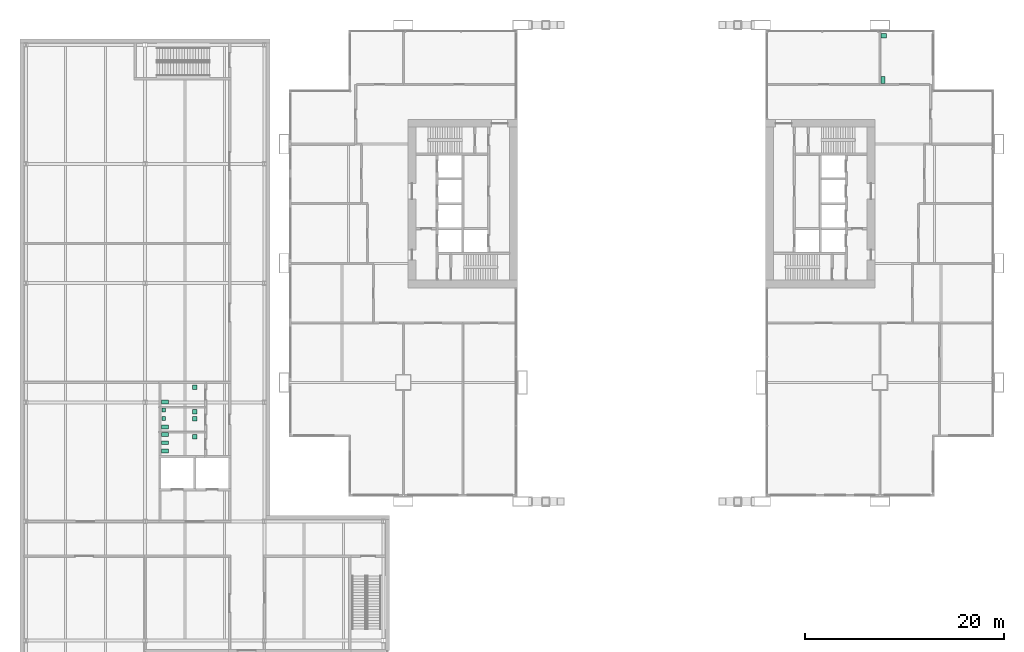
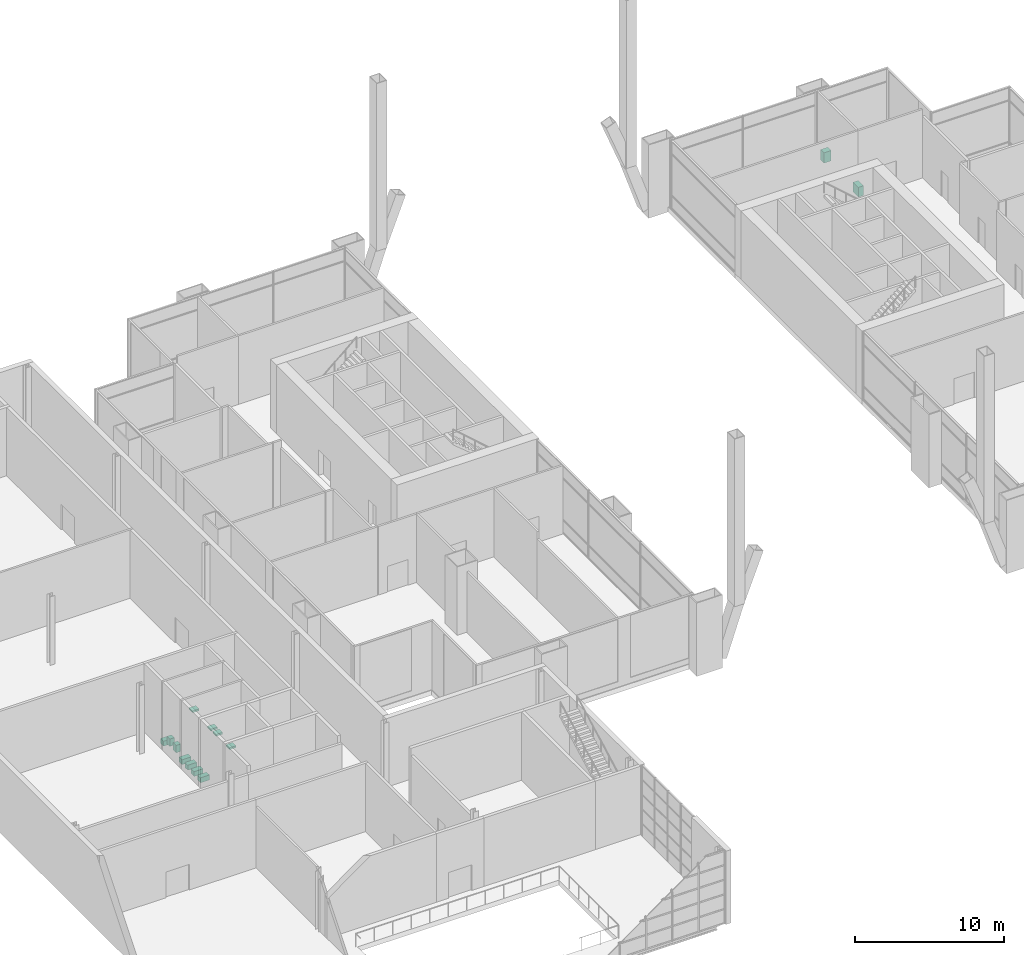
# One storey, part 30 of 30: 13 sanitary terminals.
"""IFC4 building model written with IfcOpenShell, lengths in metres."""

from ifc_helpers import new_model, si_unit, direction, frame, origin, origin_2d, place, context, subcontext, project, spatial, rectangle, extrude, material, type_object, element, save


model = new_model("IFC4")

# Units and contexts
model_context = context("Model", 3, precision=1e-05, world=origin(), true_north=direction((0.0, 1.0)))
body_context = subcontext(model_context, "Body", "Model", "MODEL_VIEW")
ifc_project = project(units=[si_unit("LENGTHUNIT", "METRE"), si_unit("AREAUNIT", "SQUARE_METRE"), si_unit("VOLUMEUNIT", "CUBIC_METRE"), si_unit("PLANEANGLEUNIT", "RADIAN"), si_unit("MASSUNIT", "GRAM", prefix="KILO")], contexts=[model_context])

# Site, building, storey
site_placement = place(None, origin())
site = spatial("IfcSite", under=ifc_project, at=site_placement, CompositionType="ELEMENT")
building_placement = place(site_placement, origin())
building = spatial("IfcBuilding", under=site, at=building_placement, Name="Kitamizu Gate Tower and Museum", CompositionType="ELEMENT")
storey_placement = place(building_placement, frame((0.0, 0.0, 6.0)))
storey = spatial("IfcBuildingStorey", under=building, at=storey_placement, Name="L01", CompositionType="ELEMENT", Elevation=6.0)

# Sanitary terminals
ifc_material_1 = material(Name="Vitreous china")
sanitary_terminal_type_1 = type_object("IfcSanitaryTerminalType", Name="Wash hand basin", PredefinedType="WASHHANDBASIN", material=ifc_material_1)
sanitary_terminal_1_placement = place(storey_placement, frame((60.39501953125, 46.93505859375, 0.0009765625), z_axis=(0.0, 0.0, 1.0), x_axis=(1.0, 0.0, 0.0)))
element("IfcSanitaryTerminal", 1, at=sanitary_terminal_1_placement, inside=storey, type_object=sanitary_terminal_type_1, Name="Wash hand basin Staff WC", PredefinedType="WASHHANDBASIN", context=body_context, shape_type="SweptSolid", body=[
    extrude(rectangle(XDim=0.550048828125, YDim=0.449951171875, at=origin_2d()), origin(), (0.0, 0.0, 1.0), 0.85009765625),
])
ifc_material_2 = material(Name="Vitreous china")
sanitary_terminal_type_2 = type_object("IfcSanitaryTerminalType", Name="Water closet", PredefinedType="TOILETPAN", material=ifc_material_2)
sanitary_terminal_2_placement = place(storey_placement, frame((60.320068359375, 42.469970703125, 0.0009765625), z_axis=(0.0, 0.0, 1.0), x_axis=(1.0, 0.0, 0.0)))
element("IfcSanitaryTerminal", 2, at=sanitary_terminal_2_placement, inside=storey, type_object=sanitary_terminal_type_2, Name="Water closet Staff WC", PredefinedType="TOILETPAN", context=body_context, shape_type="SweptSolid", body=[
    extrude(rectangle(XDim=0.39990234375, YDim=0.699951171875, at=origin_2d()), origin(), (0.0, 0.0, 1.0), 0.800048828125),
])
for number, where, z_axis, x_axis, name in (
    (3, (-11.97509765625, 5.074951171875, 0.0), (0.0, 0.0, 1.0), (1.0, 0.0, 0.0), "WC pan Women WC 1"),
    (4, (-11.97509765625, 5.925048828125, 0.0), (0.0, 0.0, 1.0), (1.0, 0.0, 0.0), "WC pan Women WC 2"),
    (5, (-11.97509765625, 6.77490234375, 0.0), (0.0, 0.0, 1.0), (1.0, 0.0, 0.0), "WC pan Women WC 3"),
):
    element("IfcSanitaryTerminal", number, at=place(storey_placement, frame(where, z_axis=z_axis, x_axis=x_axis)), inside=storey, Name=name, PredefinedType="TOILETPAN", context=body_context, shape_type="SweptSolid", body=[
        extrude(rectangle(XDim=0.699951171875, YDim=0.39990234375, at=origin_2d()), origin(), (0.0, 0.0, 1.0), 0.39990234375),
    ])
sanitary_terminal_3_placement = place(storey_placement, frame((-9.0, 6.52490234375, 0.775146484375), z_axis=(0.0, 0.0, 1.0), x_axis=(1.0, 0.0, 0.0)))
element("IfcSanitaryTerminal", 6, at=sanitary_terminal_3_placement, inside=storey, Name="Basin Women WC 1", PredefinedType="WASHHANDBASIN", context=body_context, shape_type="SweptSolid", body=[
    extrude(rectangle(XDim=0.5, YDim=0.449951171875, at=origin_2d()), origin(), (0.0, 0.0, 1.0), 0.14990234375),
])
sanitary_terminal_4_placement = place(storey_placement, frame((-11.97509765625, 7.52490234375, 0.0), z_axis=(0.0, 0.0, 1.0), x_axis=(1.0, 0.0, 0.0)))
element("IfcSanitaryTerminal", 7, at=sanitary_terminal_4_placement, inside=storey, Name="WC pan Men WC 1", PredefinedType="TOILETPAN", context=body_context, shape_type="SweptSolid", body=[
    extrude(rectangle(XDim=0.699951171875, YDim=0.39990234375, at=origin_2d()), origin(), (0.0, 0.0, 1.0), 0.39990234375),
])
for number, where, z_axis, x_axis, name in (
    (8, (-12.125, 8.375, 0.449951171875), (0.0, 0.0, 1.0), (1.0, 0.0, 0.0), "Urinal Men WC 1"),
    (9, (-12.125, 9.22509765625, 0.449951171875), (0.0, 0.0, 1.0), (1.0, 0.0, 0.0), "Urinal Men WC 2"),
):
    element("IfcSanitaryTerminal", number, at=place(storey_placement, frame(where, z_axis=z_axis, x_axis=x_axis)), inside=storey, Name=name, PredefinedType="URINAL", context=body_context, shape_type="SweptSolid", body=[
        extrude(rectangle(XDim=0.35009765625, YDim=0.39990234375, at=origin_2d()), origin(), (0.0, 0.0, 1.0), 0.60009765625),
    ])
for number, where, z_axis, x_axis, name in (
    (10, (-9.0, 9.02490234375, 0.775146484375), (0.0, 0.0, 1.0), (1.0, 0.0, 0.0), "Basin Men WC 1"),
    (11, (-9.0, 8.324951171875, 0.775146484375), (0.0, 0.0, 1.0), (1.0, 0.0, 0.0), "Basin Men WC 2"),
):
    element("IfcSanitaryTerminal", number, at=place(storey_placement, frame(where, z_axis=z_axis, x_axis=x_axis)), inside=storey, Name=name, PredefinedType="WASHHANDBASIN", context=body_context, shape_type="SweptSolid", body=[
        extrude(rectangle(XDim=0.5, YDim=0.449951171875, at=origin_2d()), origin(), (0.0, 0.0, 1.0), 0.14990234375),
    ])
sanitary_terminal_5_placement = place(storey_placement, frame((-11.97509765625, 10.02490234375, 0.0), z_axis=(0.0, 0.0, 1.0), x_axis=(1.0, 0.0, 0.0)))
element("IfcSanitaryTerminal", 12, at=sanitary_terminal_5_placement, inside=storey, Name="WC pan Accessible WC 1", PredefinedType="TOILETPAN", context=body_context, shape_type="SweptSolid", body=[
    extrude(rectangle(XDim=0.699951171875, YDim=0.39990234375, at=origin_2d()), origin(), (0.0, 0.0, 1.0), 0.39990234375),
])
sanitary_terminal_6_placement = place(storey_placement, frame((-9.0, 11.5, 0.775146484375), z_axis=(0.0, 0.0, 1.0), x_axis=(1.0, 0.0, 0.0)))
element("IfcSanitaryTerminal", 13, at=sanitary_terminal_6_placement, inside=storey, Name="Basin Accessible WC 1", PredefinedType="WASHHANDBASIN", context=body_context, shape_type="SweptSolid", body=[
    extrude(rectangle(XDim=0.5, YDim=0.449951171875, at=origin_2d()), origin(), (0.0, 0.0, 1.0), 0.14990234375),
])

save(model, "model.ifc")
